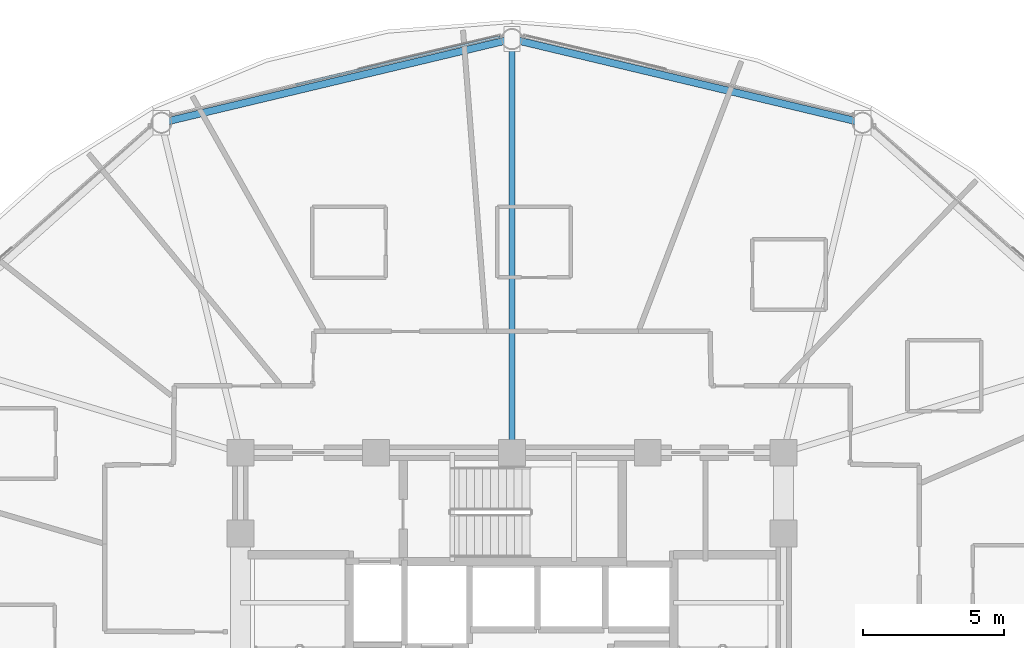
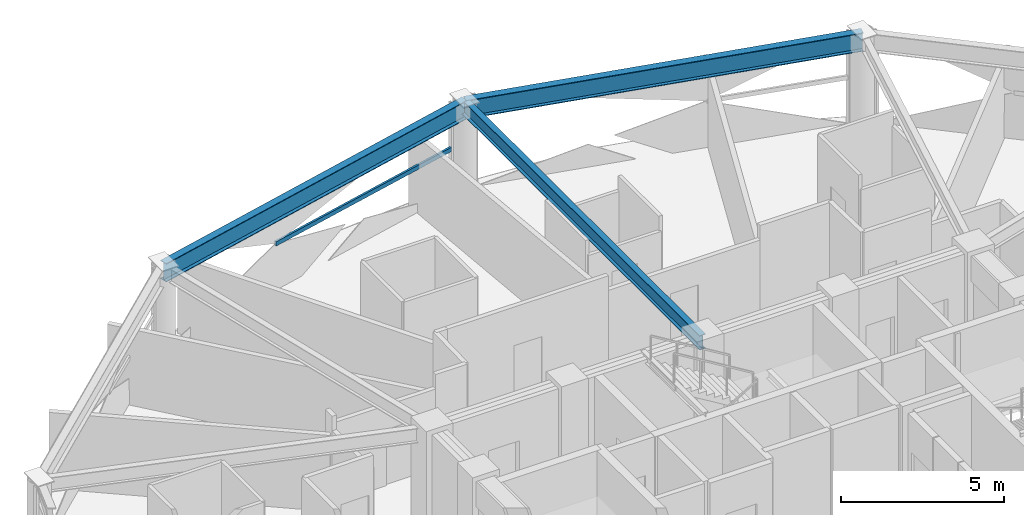
# One storey, part 16 of 30: 3 beams, 1 member, 1 element without a shape of its own.
"""IFC4 building model written with IfcOpenShell, lengths in metres."""

from ifc_helpers import new_model, si_unit, direction, frame, origin, origin_2d, place, context, subcontext, project, spatial, hollow_rectangle, i_section, extrude, material, layer, layer_set, material_profile, profile_set, type_object, element, aggregate, save


model = new_model("IFC4")

# Units and contexts
model_context = context("Model", 3, precision=1e-05, world=origin(), true_north=direction((0.0, 1.0)))
body_context = subcontext(model_context, "Body", "Model", "MODEL_VIEW")
ifc_project = project(units=[si_unit("LENGTHUNIT", "METRE"), si_unit("AREAUNIT", "SQUARE_METRE"), si_unit("VOLUMEUNIT", "CUBIC_METRE"), si_unit("PLANEANGLEUNIT", "RADIAN"), si_unit("MASSUNIT", "GRAM", prefix="KILO")], contexts=[model_context])

# Site, building, storey
site_placement = place(None, origin())
site = spatial("IfcSite", under=ifc_project, at=site_placement, CompositionType="ELEMENT")
building_placement = place(site_placement, origin())
building = spatial("IfcBuilding", under=site, at=building_placement, Name="Vantalir Tower", CompositionType="ELEMENT")
storey_placement = place(building_placement, frame((0.0, 0.0, 153.449951171875)))
storey = spatial("IfcBuildingStorey", under=building, at=storey_placement, Name="L38", CompositionType="ELEMENT", Elevation=153.449951171875)

# Beams
ifc_material_1 = material(Name="Steel S355", Category="steel")
ifc_material_profile_1 = material_profile(ifc_material_1, i_section(OverallWidth=0.2109375, OverallDepth=0.5390625, WebThickness=0.01171875, FlangeThickness=0.018798828125, at=origin_2d()), Name="Steel S355")
ifc_profile_set_1 = profile_set([ifc_material_profile_1], Name="Steel S355")
beam_type_1 = type_object("IfcBeamType", Name="BM-RB-533x210", PredefinedType="BEAM", material=ifc_profile_set_1)
beam_1_placement = place(storey_placement, frame((31.5, 47.069091796875, 3.301025390625), z_axis=(0.0, -1.0, 0.0), x_axis=(1.0, 0.0, 0.0)))
element("IfcBeam", 1, at=beam_1_placement, inside=storey, type_object=beam_type_1, Name="L38 Radial Floor Beam 04", PredefinedType="BEAM", context=body_context, shape_type="SweptSolid", body=[
    extrude(i_section(OverallWidth=0.2109375, OverallDepth=0.5390625, WebThickness=0.01171875, FlangeThickness=0.018798828125, at=origin_2d()), origin(), (0.0, 0.0, 1.0), 14.619140625),
])
ifc_material_2 = material(Name="Steel S460", Category="steel")
ifc_material_profile_2 = material_profile(ifc_material_2, i_section(OverallWidth=0.256103515625, OverallDepth=0.693115234375, WebThickness=0.014404296875, FlangeThickness=0.023681640625, at=origin_2d()), Name="Steel S460")
ifc_profile_set_2 = profile_set([ifc_material_profile_2], Name="Steel S460")
beam_type_2 = type_object("IfcBeamType", Name="BM-RG-686x254", PredefinedType="USERDEFINED", material=ifc_profile_set_2)
beam_2_placement = place(storey_placement, frame((43.89208984375, 44.112060546875, 3.22412109375), z_axis=(-0.972690538126, 0.232105831549, 0.0), x_axis=(-0.232105831549, -0.972690538126, 0.0)))
element("IfcBeam", 2, at=beam_2_placement, inside=storey, type_object=beam_type_2, Name="L38 Circumferential Ring Girder 03", ObjectType="GIRDER", PredefinedType="USERDEFINED", context=body_context, shape_type="SweptSolid", body=[
    extrude(i_section(OverallWidth=0.256103515625, OverallDepth=0.693115234375, WebThickness=0.014404296875, FlangeThickness=0.023681640625, at=origin_2d()), origin(), (0.0, 0.0, 1.0), 12.739990234375),
])
beam_3_placement = place(storey_placement, frame((31.5, 47.069091796875, 3.22412109375), z_axis=(-0.972686408119, -0.232123138573, 0.0), x_axis=(0.232123138573, -0.972686408119, 0.0)))
element("IfcBeam", 3, at=beam_3_placement, inside=storey, type_object=beam_type_2, Name="L38 Circumferential Ring Girder 04", ObjectType="GIRDER", PredefinedType="USERDEFINED", context=body_context, shape_type="SweptSolid", body=[
    extrude(i_section(OverallWidth=0.256103515625, OverallDepth=0.693115234375, WebThickness=0.014404296875, FlangeThickness=0.023681640625, at=origin_2d()), origin(), (0.0, 0.0, 1.0), 12.739013671875),
])

# Curtain wall, member
ifc_material_3 = material(Name="Champagne-silver PVDF aluminium and double-silver Low-E glass", Category="aluminium")
ifc_layer = layer(ifc_material_3, 0.199951171875)
ifc_layer_set = layer_set([ifc_layer], Name="Champagne-silver PVDF aluminium and double-silver Low-E glass")
curtain_wall_type = type_object("IfcCurtainWallType", Name="CW-DIAMOND-Z2", PredefinedType="USERDEFINED", material=ifc_layer_set)
curtain_wall_placement = place(storey_placement, origin())
curtain_wall = element("IfcCurtainWall", 4, at=curtain_wall_placement, inside=storey, type_object=curtain_wall_type, Name="L38 Quilted Pyramid-Diamond Curtain Wall S04", ObjectType="UNITISED CURTAIN WALL", PredefinedType="USERDEFINED")
ifc_material_4 = material(Name="Champagne-silver PVDF aluminium 6063-T6", Category="aluminium")
ifc_material_profile_3 = material_profile(ifc_material_4, hollow_rectangle(XDim=0.074951171875, YDim=0.159912109375, WallThickness=0.00390625, at=origin_2d()), Name="Champagne-silver PVDF aluminium 6063-T6")
ifc_profile_set_3 = profile_set([ifc_material_profile_3], Name="Champagne-silver PVDF aluminium 6063-T6")
member_type = type_object("IfcMemberType", Name="CWT-160x75", PredefinedType="USERDEFINED", material=ifc_profile_set_3)
member_placement = place(storey_placement, frame((31.072021484375, 47.156982421875, 1.78515625), z_axis=(-0.973376139134, -0.229213637823, 0.0), x_axis=(0.229213637823, -0.973376139134, 0.0)))
member = element("IfcMember", 5, at=member_placement, type_object=member_type, Name="CW-L38-S04 Pyramid Fold Ridge Transom", ObjectType="TRANSOM", PredefinedType="USERDEFINED", context=body_context, shape_type="SweptSolid", body=[
    extrude(hollow_rectangle(XDim=0.074951171875, YDim=0.159912109375, WallThickness=0.00390625, at=origin_2d()), origin(), (0.0, 0.0, 1.0), 7.41650390625),
])
aggregate(curtain_wall, [member])

save(model, "model.ifc")
